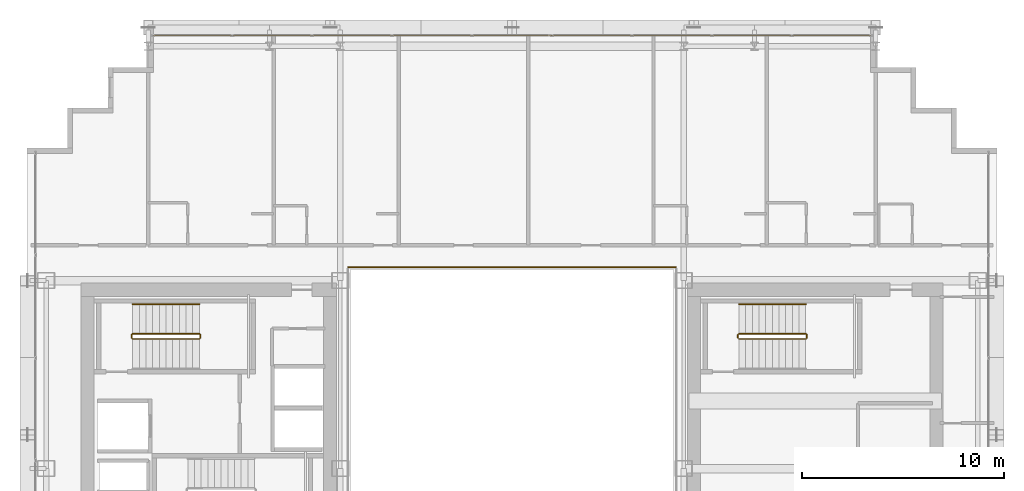
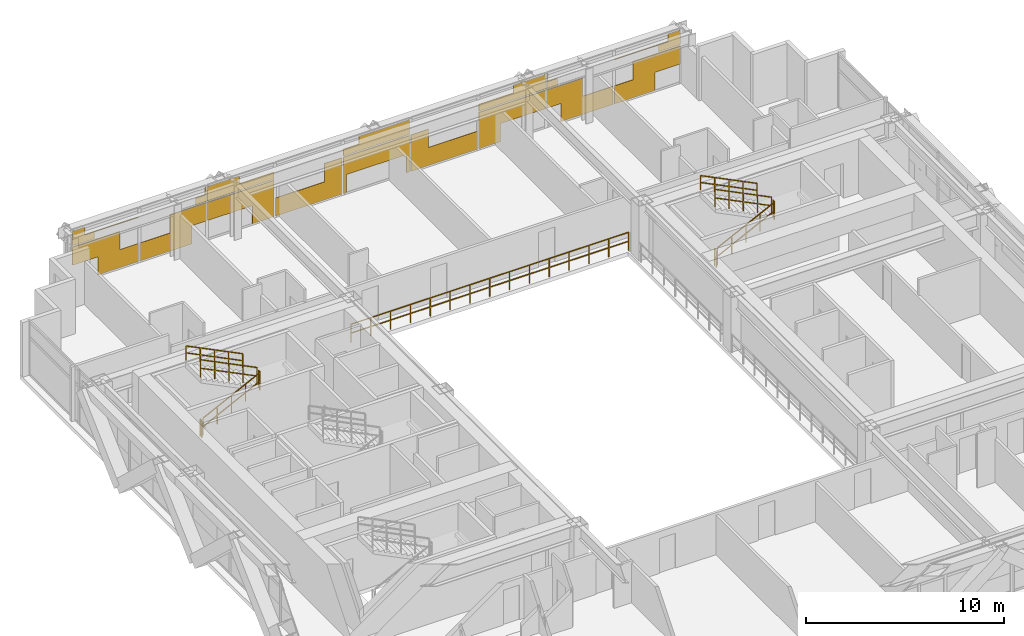
# One storey, part 35 of 35: 11 railings, 1 covering.
"""IFC4 building model written with IfcOpenShell, lengths in metres."""

from ifc_helpers import new_model, si_unit, direction, frame, origin, origin_2d, place, context, subcontext, project, spatial, rectangle, extrude, material, layer, layer_set, type_object, element, save


model = new_model("IFC4")

# Units and contexts
model_context = context("Model", 3, precision=1e-05, world=origin(), true_north=direction((0.0, 1.0)))
body_context = subcontext(model_context, "Body", "Model", "MODEL_VIEW")
ifc_project = project(units=[si_unit("LENGTHUNIT", "METRE"), si_unit("AREAUNIT", "SQUARE_METRE"), si_unit("VOLUMEUNIT", "CUBIC_METRE"), si_unit("PLANEANGLEUNIT", "RADIAN"), si_unit("MASSUNIT", "GRAM", prefix="KILO")], contexts=[model_context])

# Site, building, storey
site_placement = place(None, origin())
site = spatial("IfcSite", under=ifc_project, at=site_placement, CompositionType="ELEMENT")
building_placement = place(site_placement, origin())
building = spatial("IfcBuilding", under=site, at=building_placement, Name="Ocotamira Hotel", CompositionType="ELEMENT")
storey_placement = place(building_placement, frame((0.0, 0.0, 122.39990234375)))
storey = spatial("IfcBuildingStorey", under=building, at=storey_placement, Name="L30", CompositionType="ELEMENT", Elevation=122.39990234375)

# Covering
ifc_material_1 = material(Name="Insulated pale-metal aluminium spandrel panel", Category="aluminium")
ifc_layer = layer(ifc_material_1, 0.044921875)
ifc_layer_set = layer_set([ifc_layer], Name="Insulated pale-metal aluminium spandrel panel")
covering_type = type_object("IfcCoveringType", Name="COV-INFILL-45", PredefinedType="CLADDING", material=ifc_layer_set)
covering_placement = place(storey_placement, origin())
element("IfcCovering", 1, at=covering_placement, inside=storey, type_object=covering_type, Name="L30 Curtain Wall Infill CW-3 CW-L30-N", PredefinedType="CLADDING", context=body_context, shape_type="SweptSolid", body=[
    extrude(rectangle(XDim=2.754638671875, YDim=0.044921875, at=origin_2d()), frame((15.65771484375, 49.580078125, 1.1943359375), z_axis=(0.0, 0.0, 1.0), x_axis=(1.0, 0.0, 0.0)), (0.0, 0.0, 1.0), 1.117919921875),
    extrude(rectangle(XDim=2.359619140625, YDim=0.044921875, at=origin_2d()), frame((16.935302734375, 49.580078125, 0.07568359375), z_axis=(0.0, 0.0, 1.0), x_axis=(1.0, 0.0, 0.0)), (0.0, 0.0, 1.0), 1.117919921875),
    extrude(rectangle(XDim=1.262451171875, YDim=0.044921875, at=origin_2d()), frame((14.91162109375, 49.580078125, 2.38818359375), z_axis=(0.0, 0.0, 1.0), x_axis=(1.0, 0.0, 0.0)), (0.0, 0.0, 1.0), 0.3935546875),
    extrude(rectangle(XDim=3.834716796875, YDim=0.044921875, at=origin_2d()), frame((16.19775390625, 49.580078125, 2.78271484375), z_axis=(0.0, 0.0, 1.0), x_axis=(1.0, 0.0, 0.0)), (0.0, 0.0, 1.0), 0.0302734375),
    extrude(rectangle(XDim=0.730224609375, YDim=0.044921875, at=origin_2d()), frame((14.6455078125, 49.580078125, 2.81396484375), z_axis=(0.0, 0.0, 1.0), x_axis=(1.0, 0.0, 0.0)), (0.0, 0.0, 1.0), 0.470703125),
    extrude(rectangle(XDim=3.04833984375, YDim=0.044921875, at=origin_2d()), frame((19.72021484375, 49.580078125, 0.07568359375), z_axis=(0.0, 0.0, 1.0), x_axis=(1.0, 0.0, 0.0)), (0.0, 0.0, 1.0), 1.117919921875),
    extrude(rectangle(XDim=2.105712890625, YDim=0.044921875, at=origin_2d()), frame((21.017578125, 49.580078125, 1.1943359375), z_axis=(0.0, 0.0, 1.0), x_axis=(1.0, 0.0, 0.0)), (0.0, 0.0, 1.0), 1.117919921875),
    extrude(rectangle(XDim=0.613525390625, YDim=0.044921875, at=origin_2d()), frame((21.763916015625, 49.580078125, 2.38818359375), z_axis=(0.0, 0.0, 1.0), x_axis=(1.0, 0.0, 0.0)), (0.0, 0.0, 1.0), 0.4248046875),
    extrude(rectangle(XDim=0.081298828125, YDim=0.044921875, at=origin_2d()), frame((22.02978515625, 49.580078125, 2.81396484375), z_axis=(0.0, 0.0, 1.0), x_axis=(1.0, 0.0, 0.0)), (0.0, 0.0, 1.0), 0.470703125),
    extrude(rectangle(XDim=3.87451171875, YDim=0.044921875, at=origin_2d()), frame((24.0888671875, 49.580078125, 1.1943359375), z_axis=(0.0, 0.0, 1.0), x_axis=(1.0, 0.0, 0.0)), (0.0, 0.0, 1.0), 1.117919921875),
    extrude(rectangle(XDim=1.270751953125, YDim=0.044921875, at=origin_2d()), frame((25.390869140625, 49.580078125, 0.07568359375), z_axis=(0.0, 0.0, 1.0), x_axis=(1.0, 0.0, 0.0)), (0.0, 0.0, 1.0), 1.117919921875),
    extrude(rectangle(XDim=3.87451171875, YDim=0.044921875, at=origin_2d()), frame((24.0888671875, 49.580078125, 2.38818359375), z_axis=(0.0, 0.0, 1.0), x_axis=(1.0, 0.0, 0.0)), (0.0, 0.0, 1.0), 0.4248046875),
    extrude(rectangle(XDim=1.859130859375, YDim=0.044921875, at=origin_2d()), frame((23.081298828125, 49.580078125, 2.81396484375), z_axis=(0.0, 0.0, 1.0), x_axis=(1.0, 0.0, 0.0)), (0.0, 0.0, 1.0), 0.470703125),
    extrude(rectangle(XDim=3.87451171875, YDim=0.044921875, at=origin_2d()), frame((28.04443359375, 49.580078125, 0.07568359375), z_axis=(0.0, 0.0, 1.0), x_axis=(1.0, 0.0, 0.0)), (0.0, 0.0, 1.0), 1.117919921875),
    extrude(rectangle(XDim=1.016845703125, YDim=0.044921875, at=origin_2d()), frame((29.473388671875, 49.580078125, 1.1943359375), z_axis=(0.0, 0.0, 1.0), x_axis=(1.0, 0.0, 0.0)), (0.0, 0.0, 1.0), 1.117919921875),
    extrude(rectangle(XDim=0.181884765625, YDim=0.044921875, at=origin_2d()), frame((30.153564453125, 49.580078125, 0.07568359375), z_axis=(0.0, 0.0, 1.0), x_axis=(1.0, 0.0, 0.0)), (0.0, 0.0, 1.0), 1.117919921875),
    extrude(rectangle(XDim=3.87451171875, YDim=0.044921875, at=origin_2d()), frame((32.0, 49.580078125, 1.1943359375), z_axis=(0.0, 0.0, 1.0), x_axis=(1.0, 0.0, 0.0)), (0.0, 0.0, 1.0), 1.117919921875),
    extrude(rectangle(XDim=0.181884765625, YDim=0.044921875, at=origin_2d()), frame((33.846435546875, 49.580078125, 0.07568359375), z_axis=(0.0, 0.0, 1.0), x_axis=(1.0, 0.0, 0.0)), (0.0, 0.0, 1.0), 1.117919921875),
    extrude(rectangle(XDim=3.87451171875, YDim=0.044921875, at=origin_2d()), frame((32.0, 49.580078125, 2.38818359375), z_axis=(0.0, 0.0, 1.0), x_axis=(1.0, 0.0, 0.0)), (0.0, 0.0, 1.0), 0.4248046875),
    extrude(rectangle(XDim=2.947998046875, YDim=0.044921875, at=origin_2d()), frame((32.46337890625, 49.580078125, 2.81396484375), z_axis=(0.0, 0.0, 1.0), x_axis=(1.0, 0.0, 0.0)), (0.0, 0.0, 1.0), 0.470703125),
    extrude(rectangle(XDim=3.87451171875, YDim=0.044921875, at=origin_2d()), frame((35.95556640625, 49.580078125, 0.07568359375), z_axis=(0.0, 0.0, 1.0), x_axis=(1.0, 0.0, 0.0)), (0.0, 0.0, 1.0), 1.117919921875),
    extrude(rectangle(XDim=1.016845703125, YDim=0.044921875, at=origin_2d()), frame((34.526611328125, 49.580078125, 1.1943359375), z_axis=(0.0, 0.0, 1.0), x_axis=(1.0, 0.0, 0.0)), (0.0, 0.0, 1.0), 1.117919921875),
    extrude(rectangle(XDim=1.270751953125, YDim=0.044921875, at=origin_2d()), frame((38.609130859375, 49.580078125, 0.07568359375), z_axis=(0.0, 0.0, 1.0), x_axis=(1.0, 0.0, 0.0)), (0.0, 0.0, 1.0), 1.117919921875),
    extrude(rectangle(XDim=3.87451171875, YDim=0.044921875, at=origin_2d()), frame((39.9111328125, 49.580078125, 1.1943359375), z_axis=(0.0, 0.0, 1.0), x_axis=(1.0, 0.0, 0.0)), (0.0, 0.0, 1.0), 1.117919921875),
    extrude(rectangle(XDim=3.87451171875, YDim=0.044921875, at=origin_2d()), frame((39.9111328125, 49.580078125, 2.38818359375), z_axis=(0.0, 0.0, 1.0), x_axis=(1.0, 0.0, 0.0)), (0.0, 0.0, 1.0), 0.4248046875),
    extrude(rectangle(XDim=1.859130859375, YDim=0.044921875, at=origin_2d()), frame((40.918701171875, 49.580078125, 2.81396484375), z_axis=(0.0, 0.0, 1.0), x_axis=(1.0, 0.0, 0.0)), (0.0, 0.0, 1.0), 0.470703125),
    extrude(rectangle(XDim=2.105712890625, YDim=0.044921875, at=origin_2d()), frame((42.982421875, 49.580078125, 1.1943359375), z_axis=(0.0, 0.0, 1.0), x_axis=(1.0, 0.0, 0.0)), (0.0, 0.0, 1.0), 1.117919921875),
    extrude(rectangle(XDim=3.04833984375, YDim=0.044921875, at=origin_2d()), frame((44.27978515625, 49.580078125, 0.07568359375), z_axis=(0.0, 0.0, 1.0), x_axis=(1.0, 0.0, 0.0)), (0.0, 0.0, 1.0), 1.117919921875),
    extrude(rectangle(XDim=0.613525390625, YDim=0.044921875, at=origin_2d()), frame((42.236083984375, 49.580078125, 2.38818359375), z_axis=(0.0, 0.0, 1.0), x_axis=(1.0, 0.0, 0.0)), (0.0, 0.0, 1.0), 0.4248046875),
    extrude(rectangle(XDim=0.081298828125, YDim=0.044921875, at=origin_2d()), frame((41.97021484375, 49.580078125, 2.81396484375), z_axis=(0.0, 0.0, 1.0), x_axis=(1.0, 0.0, 0.0)), (0.0, 0.0, 1.0), 0.470703125),
    extrude(rectangle(XDim=2.359619140625, YDim=0.044921875, at=origin_2d()), frame((47.064697265625, 49.580078125, 0.07568359375), z_axis=(0.0, 0.0, 1.0), x_axis=(1.0, 0.0, 0.0)), (0.0, 0.0, 1.0), 1.117919921875),
    extrude(rectangle(XDim=2.754638671875, YDim=0.044921875, at=origin_2d()), frame((48.34228515625, 49.580078125, 1.1943359375), z_axis=(0.0, 0.0, 1.0), x_axis=(1.0, 0.0, 0.0)), (0.0, 0.0, 1.0), 1.117919921875),
    extrude(rectangle(XDim=3.834716796875, YDim=0.044921875, at=origin_2d()), frame((47.80224609375, 49.580078125, 2.78271484375), z_axis=(0.0, 0.0, 1.0), x_axis=(1.0, 0.0, 0.0)), (0.0, 0.0, 1.0), 0.0302734375),
    extrude(rectangle(XDim=1.262451171875, YDim=0.044921875, at=origin_2d()), frame((49.08837890625, 49.580078125, 2.38818359375), z_axis=(0.0, 0.0, 1.0), x_axis=(1.0, 0.0, 0.0)), (0.0, 0.0, 1.0), 0.3935546875),
    extrude(rectangle(XDim=0.730224609375, YDim=0.044921875, at=origin_2d()), frame((49.3544921875, 49.580078125, 2.81396484375), z_axis=(0.0, 0.0, 1.0), x_axis=(1.0, 0.0, 0.0)), (0.0, 0.0, 1.0), 0.470703125),
])

# Railings
ifc_material_2 = material(Name="Painted steel stair guardrail", Category="steel")
railing_type_1 = type_object("IfcRailingType", Name="RL-EDGE-1150", PredefinedType="GUARDRAIL", material=ifc_material_2)
railing_1_placement = place(storey_placement, frame((40.10009765625, 38.1201171875, 0.0)))
element("IfcRailing", 2, at=railing_1_placement, inside=storey, type_object=railing_type_1, Name="L30 Central Atrium Edge Guardrail N", PredefinedType="GUARDRAIL", context=body_context, shape_type="SweptSolid", body=[
    extrude(rectangle(XDim=0.048095703125, YDim=0.048095703125, at=origin_2d()), frame((0.0, 0.0, 1.1259765625), z_axis=(-1.0, 0.0, 0.0), x_axis=(0.0, -1.0, 0.0)), (0.0, 0.0, 1.0), 16.2001953125),
    extrude(rectangle(XDim=0.048095703125, YDim=0.048095703125, at=origin_2d()), frame((0.0, 0.0, 0.574951171875), z_axis=(-1.0, 0.0, 0.0), x_axis=(0.0, -1.0, 0.0)), (0.0, 0.0, 1.0), 16.2001953125),
    extrude(rectangle(XDim=0.0419921875, YDim=0.0419921875, at=origin_2d()), origin(), (0.0, 0.0, 1.0), 1.101806640625),
    extrude(rectangle(XDim=0.0419921875, YDim=0.0419921875, at=origin_2d()), frame((-1.1572265625, 0.0, 0.0)), (0.0, 0.0, 1.0), 1.101806640625),
    extrude(rectangle(XDim=0.0419921875, YDim=0.0419921875, at=origin_2d()), frame((-2.314208984375, 0.0, 0.0)), (0.0, 0.0, 1.0), 1.101806640625),
    extrude(rectangle(XDim=0.0419921875, YDim=0.0419921875, at=origin_2d()), frame((-3.471435546875, 0.0, 0.0)), (0.0, 0.0, 1.0), 1.101806640625),
    extrude(rectangle(XDim=0.0419921875, YDim=0.0419921875, at=origin_2d()), frame((-4.628662109375, 0.0, 0.0)), (0.0, 0.0, 1.0), 1.101806640625),
    extrude(rectangle(XDim=0.0419921875, YDim=0.0419921875, at=origin_2d()), frame((-5.785888671875, 0.0, 0.0)), (0.0, 0.0, 1.0), 1.101806640625),
    extrude(rectangle(XDim=0.0419921875, YDim=0.0419921875, at=origin_2d()), frame((-6.94287109375, 0.0, 0.0)), (0.0, 0.0, 1.0), 1.101806640625),
    extrude(rectangle(XDim=0.0419921875, YDim=0.0419921875, at=origin_2d()), frame((-8.10009765625, 0.0, 0.0)), (0.0, 0.0, 1.0), 1.101806640625),
    extrude(rectangle(XDim=0.0419921875, YDim=0.0419921875, at=origin_2d()), frame((-9.25732421875, 0.0, 0.0)), (0.0, 0.0, 1.0), 1.101806640625),
    extrude(rectangle(XDim=0.0419921875, YDim=0.0419921875, at=origin_2d()), frame((-10.414306640625, 0.0, 0.0)), (0.0, 0.0, 1.0), 1.101806640625),
    extrude(rectangle(XDim=0.0419921875, YDim=0.0419921875, at=origin_2d()), frame((-11.571533203125, 0.0, 0.0)), (0.0, 0.0, 1.0), 1.101806640625),
    extrude(rectangle(XDim=0.0419921875, YDim=0.0419921875, at=origin_2d()), frame((-12.728759765625, 0.0, 0.0)), (0.0, 0.0, 1.0), 1.101806640625),
    extrude(rectangle(XDim=0.0419921875, YDim=0.0419921875, at=origin_2d()), frame((-13.885986328125, 0.0, 0.0)), (0.0, 0.0, 1.0), 1.101806640625),
    extrude(rectangle(XDim=0.0419921875, YDim=0.0419921875, at=origin_2d()), frame((-15.04296875, 0.0, 0.0)), (0.0, 0.0, 1.0), 1.101806640625),
    extrude(rectangle(XDim=0.0419921875, YDim=0.0419921875, at=origin_2d()), frame((-16.2001953125, 0.0, 0.0)), (0.0, 0.0, 1.0), 1.101806640625),
])
ifc_material_3 = material(Name="Brushed stainless steel handrail", Category="steel")
railing_type_2 = type_object("IfcRailingType", Name="RL-HAND-900", PredefinedType="HANDRAIL", material=ifc_material_3)
for number, where, name in (
    (3, (16.530029296875, 36.280029296875, 2.12744140625), "L30 ST-2 stair handrail 2"),
    (4, (46.530029296875, 36.280029296875, 2.12744140625), "L30 ST-4 stair handrail 2"),
):
    element("IfcRailing", number, at=place(storey_placement, frame(where)), inside=storey, type_object=railing_type_2, Name=name, PredefinedType="HANDRAIL", context=body_context, shape_type="SweptSolid", body=[
        extrude(rectangle(XDim=0.048095703125, YDim=0.048095703125, at=origin_2d()), frame((0.0, 0.0, 0.8759765625), z_axis=(-0.895920123917, 0.0, 0.444215186098), x_axis=(0.0, -1.0, 0.0)), (0.0, 0.0, 1.0), 3.683349609375),
        extrude(rectangle(XDim=0.048095703125, YDim=0.048095703125, at=origin_2d()), frame((0.0, 0.0, 0.449951171875), z_axis=(-0.895920123917, 0.0, 0.444215186098), x_axis=(0.0, -1.0, 0.0)), (0.0, 0.0, 1.0), 3.683349609375),
        extrude(rectangle(XDim=0.0419921875, YDim=0.0419921875, at=origin_2d()), origin(), (0.0, 0.0, 1.0), 0.851806640625),
        extrude(rectangle(XDim=0.0419921875, YDim=0.0419921875, at=origin_2d()), frame((-0.824951171875, 0.0, 0.4091796875)), (0.0, 0.0, 1.0), 0.851806640625),
        extrude(rectangle(XDim=0.0419921875, YDim=0.0419921875, at=origin_2d()), frame((-1.64990234375, 0.0, 0.818115234375)), (0.0, 0.0, 1.0), 0.851806640625),
        extrude(rectangle(XDim=0.0419921875, YDim=0.0419921875, at=origin_2d()), frame((-2.47509765625, 0.0, 1.22705078125)), (0.0, 0.0, 1.0), 0.851806640625),
        extrude(rectangle(XDim=0.0419921875, YDim=0.0419921875, at=origin_2d()), frame((-3.300048828125, 0.0, 1.63623046875)), (0.0, 0.0, 1.0), 0.851806640625),
    ])
railing_type_3 = type_object("IfcRailingType", Name="RL-STAIR-1100", PredefinedType="GUARDRAIL", material=ifc_material_2)
railing_2_placement = place(storey_placement, frame((13.22998046875, 34.56005859375, 0.163818359375)))
element("IfcRailing", 5, at=railing_2_placement, inside=storey, type_object=railing_type_3, Name="L30 ST-2 stair guard 1", PredefinedType="GUARDRAIL", context=body_context, shape_type="SweptSolid", body=[
    extrude(rectangle(XDim=0.048095703125, YDim=0.048095703125, at=origin_2d()), frame((0.0, 0.0, 1.076171875), z_axis=(0.895920123917, 0.0, 0.444215186098), x_axis=(0.0, 1.0, 0.0)), (0.0, 0.0, 1.0), 3.683349609375),
    extrude(rectangle(XDim=0.048095703125, YDim=0.048095703125, at=origin_2d()), frame((0.0, 0.0, 0.550048828125), z_axis=(0.895920123917, 0.0, 0.444215186098), x_axis=(0.0, 1.0, 0.0)), (0.0, 0.0, 1.0), 3.683349609375),
    extrude(rectangle(XDim=0.0419921875, YDim=0.0419921875, at=origin_2d()), origin(), (0.0, 0.0, 1.0), 1.052001953125),
    extrude(rectangle(XDim=0.0419921875, YDim=0.0419921875, at=origin_2d()), frame((0.824951171875, 0.0, 0.4091796875)), (0.0, 0.0, 1.0), 1.052001953125),
    extrude(rectangle(XDim=0.0419921875, YDim=0.0419921875, at=origin_2d()), frame((1.64990234375, 0.0, 0.818115234375)), (0.0, 0.0, 1.0), 1.052001953125),
    extrude(rectangle(XDim=0.0419921875, YDim=0.0419921875, at=origin_2d()), frame((2.47509765625, 0.0, 1.22705078125)), (0.0, 0.0, 1.0), 1.052001953125),
    extrude(rectangle(XDim=0.0419921875, YDim=0.0419921875, at=origin_2d()), frame((3.300048828125, 0.0, 1.63623046875)), (0.0, 0.0, 1.0), 1.052001953125),
])
railing_3_placement = place(storey_placement, frame((16.580078125, 34.610107421875, 1.800048828125)))
element("IfcRailing", 6, at=railing_3_placement, inside=storey, type_object=railing_type_3, Name="L30 ST-2 stair guard 2", PredefinedType="GUARDRAIL", context=body_context, shape_type="SweptSolid", body=[
    extrude(rectangle(XDim=0.048095703125, YDim=0.048095703125, at=origin_2d()), frame((0.0, 0.0, 1.076171875), z_axis=(0.0, 1.0, 0.0), x_axis=(-1.0, 0.0, 0.0)), (0.0, 0.0, 1.0), 0.159912109375),
    extrude(rectangle(XDim=0.048095703125, YDim=0.048095703125, at=origin_2d()), frame((0.0, 0.0, 0.550048828125), z_axis=(0.0, 1.0, 0.0), x_axis=(-1.0, 0.0, 0.0)), (0.0, 0.0, 1.0), 0.159912109375),
    extrude(rectangle(XDim=0.0419921875, YDim=0.0419921875, at=origin_2d()), origin(), (0.0, 0.0, 1.0), 1.052001953125),
    extrude(rectangle(XDim=0.0419921875, YDim=0.0419921875, at=origin_2d()), frame((0.0, 0.159912109375, 0.0)), (0.0, 0.0, 1.0), 1.052001953125),
])
railing_4_placement = place(storey_placement, frame((16.530029296875, 34.820068359375, 1.963623046875)))
element("IfcRailing", 7, at=railing_4_placement, inside=storey, type_object=railing_type_3, Name="L30 ST-2 stair guard 3", PredefinedType="GUARDRAIL", context=body_context, shape_type="SweptSolid", body=[
    extrude(rectangle(XDim=0.048095703125, YDim=0.048095703125, at=origin_2d()), frame((0.0, 0.0, 1.076171875), z_axis=(-0.895893744519, 0.0, 0.4442683857), x_axis=(0.0, -1.0, 0.0)), (0.0, 0.0, 1.0), 3.68359375),
    extrude(rectangle(XDim=0.048095703125, YDim=0.048095703125, at=origin_2d()), frame((0.0, 0.0, 0.550048828125), z_axis=(-0.895893744519, 0.0, 0.4442683857), x_axis=(0.0, -1.0, 0.0)), (0.0, 0.0, 1.0), 3.68359375),
    extrude(rectangle(XDim=0.0419921875, YDim=0.0419921875, at=origin_2d()), origin(), (0.0, 0.0, 1.0), 1.052001953125),
    extrude(rectangle(XDim=0.0419921875, YDim=0.0419921875, at=origin_2d()), frame((-0.824951171875, 0.0, 0.4091796875)), (0.0, 0.0, 1.0), 1.052001953125),
    extrude(rectangle(XDim=0.0419921875, YDim=0.0419921875, at=origin_2d()), frame((-1.64990234375, 0.0, 0.818359375)), (0.0, 0.0, 1.0), 1.052001953125),
    extrude(rectangle(XDim=0.0419921875, YDim=0.0419921875, at=origin_2d()), frame((-2.47509765625, 0.0, 1.227294921875)), (0.0, 0.0, 1.0), 1.052001953125),
    extrude(rectangle(XDim=0.0419921875, YDim=0.0419921875, at=origin_2d()), frame((-3.300048828125, 0.0, 1.636474609375)), (0.0, 0.0, 1.0), 1.052001953125),
])
railing_5_placement = place(storey_placement, frame((13.179931640625, 34.610107421875, 0.0)))
element("IfcRailing", 8, at=railing_5_placement, inside=storey, type_object=railing_type_3, Name="L30 ST-2 stair guard 4", PredefinedType="GUARDRAIL", context=body_context, shape_type="SweptSolid", body=[
    extrude(rectangle(XDim=0.048095703125, YDim=0.048095703125, at=origin_2d()), frame((0.0, 0.0, 1.076171875), z_axis=(0.0, 1.0, 0.0), x_axis=(-1.0, 0.0, 0.0)), (0.0, 0.0, 1.0), 0.159912109375),
    extrude(rectangle(XDim=0.048095703125, YDim=0.048095703125, at=origin_2d()), frame((0.0, 0.0, 0.550048828125), z_axis=(0.0, 1.0, 0.0), x_axis=(-1.0, 0.0, 0.0)), (0.0, 0.0, 1.0), 0.159912109375),
    extrude(rectangle(XDim=0.0419921875, YDim=0.0419921875, at=origin_2d()), origin(), (0.0, 0.0, 1.0), 1.052001953125),
    extrude(rectangle(XDim=0.0419921875, YDim=0.0419921875, at=origin_2d()), frame((0.0, 0.159912109375, 0.0)), (0.0, 0.0, 1.0), 1.052001953125),
])
railing_6_placement = place(storey_placement, frame((43.22998046875, 34.56005859375, 0.163818359375)))
element("IfcRailing", 9, at=railing_6_placement, inside=storey, type_object=railing_type_3, Name="L30 ST-4 stair guard 1", PredefinedType="GUARDRAIL", context=body_context, shape_type="SweptSolid", body=[
    extrude(rectangle(XDim=0.048095703125, YDim=0.048095703125, at=origin_2d()), frame((0.0, 0.0, 1.076171875), z_axis=(0.895920123917, 0.0, 0.444215186098), x_axis=(0.0, 1.0, 0.0)), (0.0, 0.0, 1.0), 3.683349609375),
    extrude(rectangle(XDim=0.048095703125, YDim=0.048095703125, at=origin_2d()), frame((0.0, 0.0, 0.550048828125), z_axis=(0.895920123917, 0.0, 0.444215186098), x_axis=(0.0, 1.0, 0.0)), (0.0, 0.0, 1.0), 3.683349609375),
    extrude(rectangle(XDim=0.0419921875, YDim=0.0419921875, at=origin_2d()), origin(), (0.0, 0.0, 1.0), 1.052001953125),
    extrude(rectangle(XDim=0.0419921875, YDim=0.0419921875, at=origin_2d()), frame((0.824951171875, 0.0, 0.4091796875)), (0.0, 0.0, 1.0), 1.052001953125),
    extrude(rectangle(XDim=0.0419921875, YDim=0.0419921875, at=origin_2d()), frame((1.64990234375, 0.0, 0.818115234375)), (0.0, 0.0, 1.0), 1.052001953125),
    extrude(rectangle(XDim=0.0419921875, YDim=0.0419921875, at=origin_2d()), frame((2.47509765625, 0.0, 1.22705078125)), (0.0, 0.0, 1.0), 1.052001953125),
    extrude(rectangle(XDim=0.0419921875, YDim=0.0419921875, at=origin_2d()), frame((3.300048828125, 0.0, 1.63623046875)), (0.0, 0.0, 1.0), 1.052001953125),
])
railing_7_placement = place(storey_placement, frame((46.580078125, 34.610107421875, 1.800048828125)))
element("IfcRailing", 10, at=railing_7_placement, inside=storey, type_object=railing_type_3, Name="L30 ST-4 stair guard 2", PredefinedType="GUARDRAIL", context=body_context, shape_type="SweptSolid", body=[
    extrude(rectangle(XDim=0.048095703125, YDim=0.048095703125, at=origin_2d()), frame((0.0, 0.0, 1.076171875), z_axis=(0.0, 1.0, 0.0), x_axis=(-1.0, 0.0, 0.0)), (0.0, 0.0, 1.0), 0.159912109375),
    extrude(rectangle(XDim=0.048095703125, YDim=0.048095703125, at=origin_2d()), frame((0.0, 0.0, 0.550048828125), z_axis=(0.0, 1.0, 0.0), x_axis=(-1.0, 0.0, 0.0)), (0.0, 0.0, 1.0), 0.159912109375),
    extrude(rectangle(XDim=0.0419921875, YDim=0.0419921875, at=origin_2d()), origin(), (0.0, 0.0, 1.0), 1.052001953125),
    extrude(rectangle(XDim=0.0419921875, YDim=0.0419921875, at=origin_2d()), frame((0.0, 0.159912109375, 0.0)), (0.0, 0.0, 1.0), 1.052001953125),
])
railing_8_placement = place(storey_placement, frame((46.530029296875, 34.820068359375, 1.963623046875)))
element("IfcRailing", 11, at=railing_8_placement, inside=storey, type_object=railing_type_3, Name="L30 ST-4 stair guard 3", PredefinedType="GUARDRAIL", context=body_context, shape_type="SweptSolid", body=[
    extrude(rectangle(XDim=0.048095703125, YDim=0.048095703125, at=origin_2d()), frame((0.0, 0.0, 1.076171875), z_axis=(-0.895893744519, 0.0, 0.4442683857), x_axis=(0.0, -1.0, 0.0)), (0.0, 0.0, 1.0), 3.68359375),
    extrude(rectangle(XDim=0.048095703125, YDim=0.048095703125, at=origin_2d()), frame((0.0, 0.0, 0.550048828125), z_axis=(-0.895893744519, 0.0, 0.4442683857), x_axis=(0.0, -1.0, 0.0)), (0.0, 0.0, 1.0), 3.68359375),
    extrude(rectangle(XDim=0.0419921875, YDim=0.0419921875, at=origin_2d()), origin(), (0.0, 0.0, 1.0), 1.052001953125),
    extrude(rectangle(XDim=0.0419921875, YDim=0.0419921875, at=origin_2d()), frame((-0.824951171875, 0.0, 0.4091796875)), (0.0, 0.0, 1.0), 1.052001953125),
    extrude(rectangle(XDim=0.0419921875, YDim=0.0419921875, at=origin_2d()), frame((-1.64990234375, 0.0, 0.818359375)), (0.0, 0.0, 1.0), 1.052001953125),
    extrude(rectangle(XDim=0.0419921875, YDim=0.0419921875, at=origin_2d()), frame((-2.47509765625, 0.0, 1.227294921875)), (0.0, 0.0, 1.0), 1.052001953125),
    extrude(rectangle(XDim=0.0419921875, YDim=0.0419921875, at=origin_2d()), frame((-3.300048828125, 0.0, 1.636474609375)), (0.0, 0.0, 1.0), 1.052001953125),
])
railing_9_placement = place(storey_placement, frame((43.179931640625, 34.610107421875, 0.0)))
element("IfcRailing", 12, at=railing_9_placement, inside=storey, type_object=railing_type_3, Name="L30 ST-4 stair guard 4", PredefinedType="GUARDRAIL", context=body_context, shape_type="SweptSolid", body=[
    extrude(rectangle(XDim=0.048095703125, YDim=0.048095703125, at=origin_2d()), frame((0.0, 0.0, 1.076171875), z_axis=(0.0, 1.0, 0.0), x_axis=(-1.0, 0.0, 0.0)), (0.0, 0.0, 1.0), 0.159912109375),
    extrude(rectangle(XDim=0.048095703125, YDim=0.048095703125, at=origin_2d()), frame((0.0, 0.0, 0.550048828125), z_axis=(0.0, 1.0, 0.0), x_axis=(-1.0, 0.0, 0.0)), (0.0, 0.0, 1.0), 0.159912109375),
    extrude(rectangle(XDim=0.0419921875, YDim=0.0419921875, at=origin_2d()), origin(), (0.0, 0.0, 1.0), 1.052001953125),
    extrude(rectangle(XDim=0.0419921875, YDim=0.0419921875, at=origin_2d()), frame((0.0, 0.159912109375, 0.0)), (0.0, 0.0, 1.0), 1.052001953125),
])

save(model, "model.ifc")
